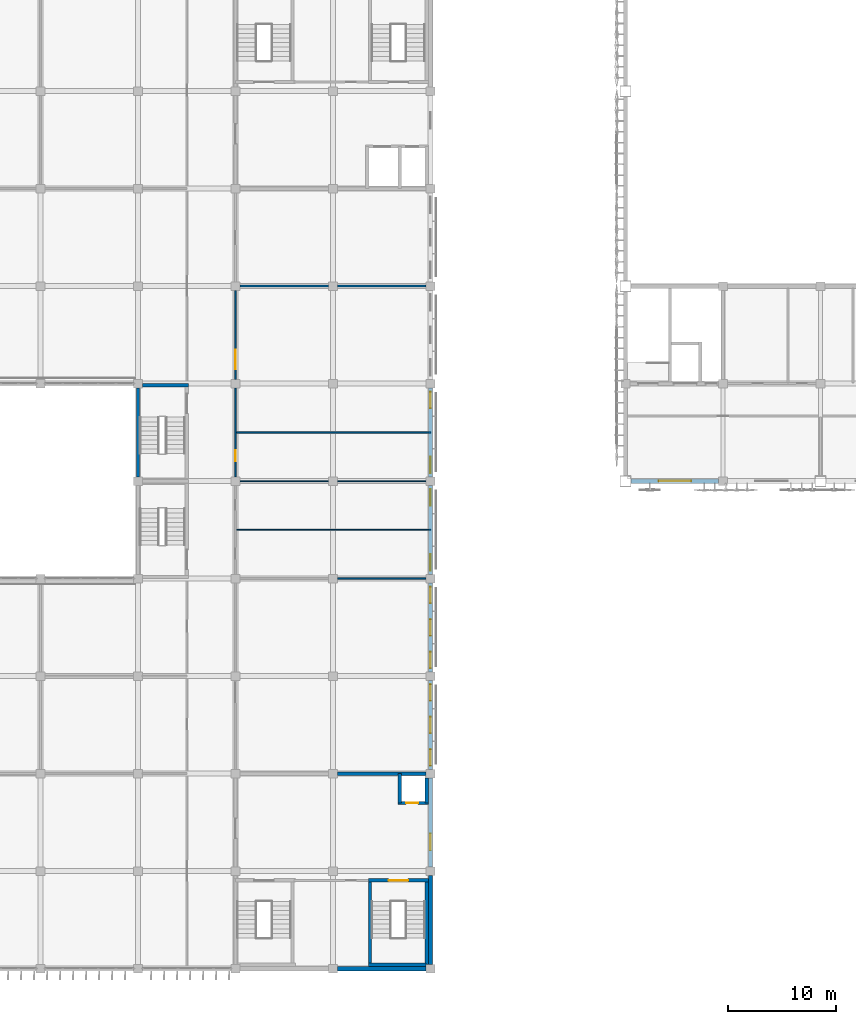
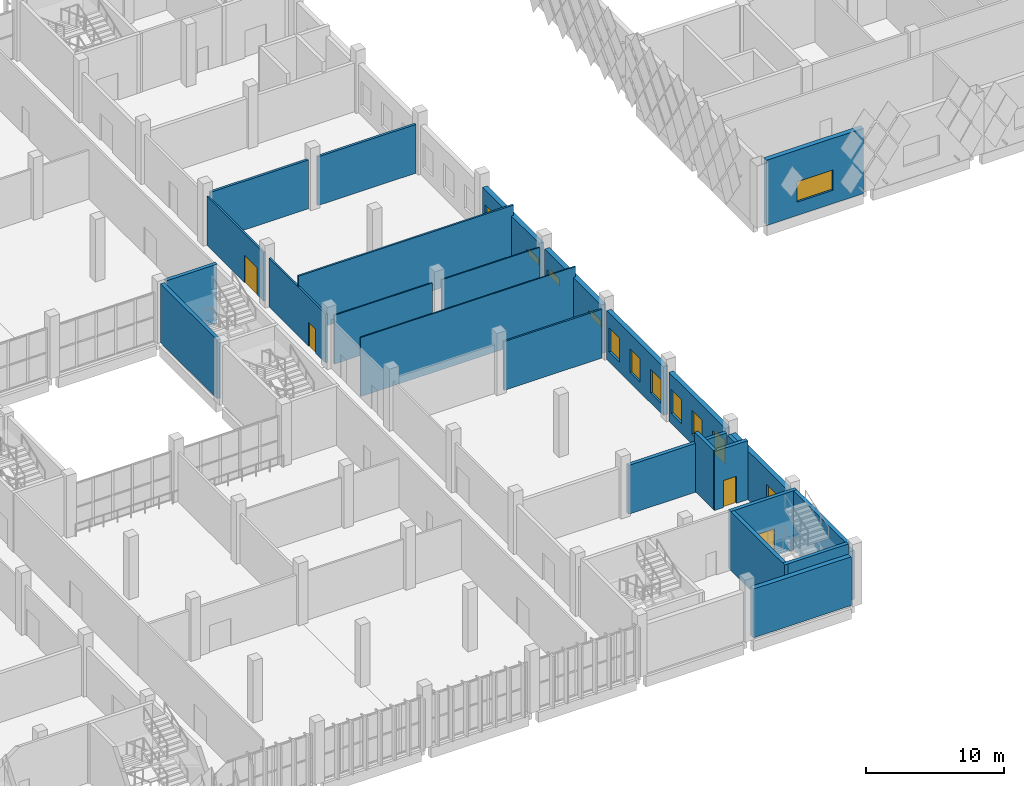
# One storey, part 107 of 185: 27 walls, 12 windows, 4 doors, 16 openings.
"""IFC4 building model written with IfcOpenShell, lengths in metres."""

from ifc_helpers import new_model, si_unit, direction, frame, frame_2d, origin, place, context, subcontext, project, spatial, rectangle, extrude, material, layer, layer_set, type_object, element, fill, save


model = new_model("IFC4")

# Units and contexts
model_context = context("Model", 3, precision=1e-05, world=origin(), true_north=direction((0.0, 1.0)))
body_context = subcontext(model_context, "Body", "Model", "MODEL_VIEW")
ifc_project = project(units=[si_unit("LENGTHUNIT", "METRE"), si_unit("AREAUNIT", "SQUARE_METRE"), si_unit("VOLUMEUNIT", "CUBIC_METRE"), si_unit("PLANEANGLEUNIT", "RADIAN"), si_unit("MASSUNIT", "GRAM", prefix="KILO")], contexts=[model_context])

# Site, building, storey
site_placement = place(None, origin())
site = spatial("IfcSite", under=ifc_project, at=site_placement, CompositionType="ELEMENT")
building_placement = place(site_placement, origin())
building = spatial("IfcBuilding", under=site, at=building_placement, Name="Opaline Strait Convention Centre", CompositionType="ELEMENT")
storey_placement = place(building_placement, frame((0.0, 0.0, 6.0)))
storey = spatial("IfcBuildingStorey", under=building, at=storey_placement, Name="L01", CompositionType="ELEMENT", Elevation=6.0)

# Wall, opening, window
ifc_material_1 = material(Name="Concrete C40", Category="concrete")
ifc_layer_1 = layer(ifc_material_1, 0.25)
ifc_material_2 = material(Name="Mineral wool insulation")
ifc_layer_2 = layer(ifc_material_2, 0.10009765625)
ifc_material_3 = material(Name="Gypsum board lining")
ifc_layer_3 = layer(ifc_material_3, 0.050048828125)
ifc_layer_set_1 = layer_set([ifc_layer_1, ifc_layer_2, ifc_layer_3], Name="Concrete C40, Mineral wool insulation, Gypsum board lining")
wall_type_1 = type_object("IfcWallType", Name="External wall RC 400 insulated", PredefinedType="SOLIDWALL", material=ifc_layer_set_1)
wall_1_placement = place(storey_placement, frame((99.5, 54.0, -0.280029296875), z_axis=(0.0, 0.0, 1.0), x_axis=(1.0, 0.0, 0.0)))
wall_1 = element("IfcWall", 1, at=wall_1_placement, inside=storey, type_object=wall_type_1, Name="External wall S1", PredefinedType="SOLIDWALL", context=body_context, shape_type="SweptSolid", body=[
    extrude(rectangle(XDim=8.10009765625, YDim=0.39990234375, at=frame_2d((4.050048828125, 0.0))), origin(), (0.0, 0.0, 1.0), 5.780029296875),
])
opening_1_placement = place(wall_1_placement, frame((2.550048828125, 0.0, 1.179931640625)))
opening_1 = element("IfcOpeningElement", 2, at=opening_1_placement, cuts=wall_1, Name="Opening XWN2", PredefinedType="OPENING", context=body_context, shape_type="SweptSolid", body=[
    extrude(rectangle(XDim=3.0, YDim=1.800048828125, at=frame_2d((1.5, 0.89990234375))), frame((0.0, 0.2099609375, 0.0), z_axis=(0.0, -1.0, 0.0), x_axis=(1.0, 0.0, 0.0)), (0.0, 0.0, 1.0), 0.419921875),
])
ifc_material_4 = material(Name="Double glazed unit low emissivity", Category="glass")
window_type_1 = type_object("IfcWindowType", Name="Strip window 3000 x 1800", PartitioningType="TRIPLE_PANEL_VERTICAL", PredefinedType="WINDOW", material=ifc_material_4)
window_1_placement = place(opening_1_placement, origin())
window_1 = element("IfcWindow", 3, at=window_1_placement, inside=storey, type_object=window_type_1, Name="Strip window 1", OverallHeight=1.800048828125, OverallWidth=3.0, PartitioningType="TRIPLE_PANEL_VERTICAL", PredefinedType="WINDOW", context=body_context, shape_type="SweptSolid", body=[
    extrude(rectangle(XDim=3.0, YDim=1.800048828125, at=frame_2d((1.5, 0.89990234375))), frame((0.0, 0.030029296875, 0.0), z_axis=(0.0, -1.0, 0.0), x_axis=(1.0, 0.0, 0.0)), (0.0, 0.0, 1.0), 0.06005859375),
])
fill(opening_1, window_1)

# Walls
ifc_material_5 = material(Name="Gypsum board on metal studs with mineral wool")
ifc_layer_4 = layer(ifc_material_5, 0.199951171875)
ifc_layer_set_2 = layer_set([ifc_layer_4], Name="Gypsum board on metal studs with mineral wool")
wall_type_2 = type_object("IfcWallType", Name="Fire partition 200", PredefinedType="PARTITIONING", material=ifc_layer_set_2)
for number, where, z_axis, x_axis, name in (
    (4, (63.39990234375, 72.0, 0.0), (0.0, 0.0, 1.0), (1.0, 0.0, 0.0), "L01 partition"),
    (5, (72.39990234375, 72.0, 0.0), (0.0, 0.0, 1.0), (1.0, 0.0, 0.0), "L01 partition"),
):
    element("IfcWall", number, at=place(storey_placement, frame(where, z_axis=z_axis, x_axis=x_axis)), inside=storey, type_object=wall_type_2, Name=name, PredefinedType="PARTITIONING", context=body_context, shape_type="SweptSolid", body=[
        extrude(rectangle(XDim=8.2001953125, YDim=0.199951171875, at=frame_2d((4.10009765625, 0.0))), origin(), (0.0, 0.0, 1.0), 4.320068359375),
    ])
ifc_layer_5 = layer(ifc_material_5, 0.10009765625)
ifc_layer_set_3 = layer_set([ifc_layer_5], Name="Gypsum board on metal studs with mineral wool")
wall_type_3 = type_object("IfcWallType", Name="Light partition 100", PredefinedType="PARTITIONING", material=ifc_layer_set_3)
wall_2_placement = place(storey_placement, frame((63.0, 49.5, 0.0), z_axis=(0.0, 0.0, 1.0), x_axis=(1.0, 0.0, 0.0)))
element("IfcWall", 6, at=wall_2_placement, inside=storey, type_object=wall_type_3, Name="L01 partition", PredefinedType="PARTITIONING", context=body_context, shape_type="SweptSolid", body=[
    extrude(rectangle(XDim=18.0, YDim=0.10009765625, at=frame_2d((9.0, 0.0))), origin(), (0.0, 0.0, 1.0), 5.219970703125),
])
for number, where, z_axis, x_axis, name in (
    (7, (63.39990234375, 54.0, 0.0), (0.0, 0.0, 1.0), (1.0, 0.0, 0.0), "L01 partition"),
    (8, (72.39990234375, 54.0, 0.0), (0.0, 0.0, 1.0), (1.0, 0.0, 0.0), "L01 partition"),
):
    element("IfcWall", number, at=place(storey_placement, frame(where, z_axis=z_axis, x_axis=x_axis)), inside=storey, type_object=wall_type_3, Name=name, PredefinedType="PARTITIONING", context=body_context, shape_type="SweptSolid", body=[
        extrude(rectangle(XDim=8.2001953125, YDim=0.10009765625, at=frame_2d((4.10009765625, 0.0))), origin(), (0.0, 0.0, 1.0), 4.320068359375),
    ])
ifc_layer_6 = layer(ifc_material_5, 0.14990234375)
ifc_layer_set_4 = layer_set([ifc_layer_6], Name="Gypsum board on metal studs with mineral wool")
wall_type_4 = type_object("IfcWallType", Name="Partition 150", PredefinedType="PARTITIONING", material=ifc_layer_set_4)
wall_3_placement = place(storey_placement, frame((72.39990234375, 45.0, 0.0), z_axis=(0.0, 0.0, 1.0), x_axis=(1.0, 0.0, 0.0)))
element("IfcWall", 9, at=wall_3_placement, inside=storey, type_object=wall_type_4, Name="L01 partition", PredefinedType="PARTITIONING", context=body_context, shape_type="SweptSolid", body=[
    extrude(rectangle(XDim=8.2001953125, YDim=0.14990234375, at=frame_2d((4.10009765625, 0.0))), origin(), (0.0, 0.0, 1.0), 4.320068359375),
])
wall_4_placement = place(storey_placement, frame((63.0, 58.5, 0.0), z_axis=(0.0, 0.0, 1.0), x_axis=(1.0, 0.0, 0.0)))
element("IfcWall", 10, at=wall_4_placement, inside=storey, type_object=wall_type_4, Name="L01 partition", PredefinedType="PARTITIONING", context=body_context, shape_type="SweptSolid", body=[
    extrude(rectangle(XDim=18.0, YDim=0.14990234375, at=frame_2d((9.0, 0.0))), origin(), (0.0, 0.0, 1.0), 5.219970703125),
])

# Wall, opening, door
wall_5_placement = place(storey_placement, frame((63.0, 54.39990234375, 0.0), z_axis=(0.0, 0.0, 1.0), x_axis=(0.0, 1.0, 0.0)))
wall_5 = element("IfcWall", 11, at=wall_5_placement, inside=storey, type_object=wall_type_4, Name="L01 partition", PredefinedType="PARTITIONING", context=body_context, shape_type="SweptSolid", body=[
    extrude(rectangle(XDim=8.2001953125, YDim=0.14990234375, at=frame_2d((4.10009765625, 0.0))), origin(), (0.0, 0.0, 1.0), 4.320068359375),
])
opening_2_placement = place(wall_5_placement, frame((1.449951171875, 0.0, 0.0)))
opening_2 = element("IfcOpeningElement", 12, at=opening_2_placement, cuts=wall_5, Name="Opening R1-046", PredefinedType="OPENING", context=body_context, shape_type="SweptSolid", body=[
    extrude(rectangle(XDim=1.0, YDim=2.10009765625, at=frame_2d((0.5, 1.050048828125))), frame((0.0, 0.0849609375, 0.0), z_axis=(0.0, -1.0, 0.0), x_axis=(1.0, 0.0, 0.0)), (0.0, 0.0, 1.0), 0.169921875),
])
ifc_material_6 = material(Name="Timber door leaf in steel frame", Category="steel")
door_type_1 = type_object("IfcDoorType", Name="Accessible toilet door 1000x2100 FD30", OperationType="SINGLE_SWING_LEFT", PredefinedType="DOOR", material=ifc_material_6)
door_1_placement = place(opening_2_placement, frame((1.0, 0.0, 0.0), z_axis=(0.0, 0.0, 1.0), x_axis=(-1.0, 0.0, 0.0)))
door_1 = element("IfcDoor", 13, at=door_1_placement, inside=storey, type_object=door_type_1, Name="Accessible WC door R1-046", ObjectType="RD13", OperationType="SINGLE_SWING_LEFT", OverallHeight=2.10009765625, OverallWidth=1.0, PredefinedType="DOOR", context=body_context, shape_type="SweptSolid", body=[
    extrude(rectangle(XDim=1.0, YDim=2.10009765625, at=frame_2d((0.5, 1.050048828125))), frame((0.0, 0.02490234375, 0.0), z_axis=(0.0, -1.0, 0.0), x_axis=(1.0, 0.0, 0.0)), (0.0, 0.0, 1.0), 0.050048828125),
])
fill(opening_2, door_1)

wall_6_placement = place(storey_placement, frame((63.0, 63.39990234375, 0.0), z_axis=(0.0, 0.0, 1.0), x_axis=(0.0, 1.0, 0.0)))
wall_6 = element("IfcWall", 14, at=wall_6_placement, inside=storey, type_object=wall_type_4, Name="L01 partition", PredefinedType="PARTITIONING", context=body_context, shape_type="SweptSolid", body=[
    extrude(rectangle(XDim=8.2001953125, YDim=0.14990234375, at=frame_2d((4.10009765625, 0.0))), origin(), (0.0, 0.0, 1.0), 4.320068359375),
])
opening_3_placement = place(wall_6_placement, frame((0.949951171875, 0.0, 0.0)))
opening_3 = element("IfcOpeningElement", 15, at=opening_3_placement, cuts=wall_6, Name="Opening R1-047", PredefinedType="OPENING", context=body_context, shape_type="SweptSolid", body=[
    extrude(rectangle(XDim=1.800048828125, YDim=2.39990234375, at=frame_2d((0.89990234375, 1.199951171875))), frame((0.0, 0.0849609375, 0.0), z_axis=(0.0, -1.0, 0.0), x_axis=(1.0, 0.0, 0.0)), (0.0, 0.0, 1.0), 0.169921875),
])
ifc_material_7 = material(Name="Timber door leaves in steel frame", Category="steel")
door_type_2 = type_object("IfcDoorType", Name="Door 1800x2400 double FD30", OperationType="DOUBLE_DOOR_SINGLE_SWING", PredefinedType="DOOR", material=ifc_material_7)
door_2_placement = place(opening_3_placement, origin())
door_2 = element("IfcDoor", 16, at=door_2_placement, inside=storey, type_object=door_type_2, Name="Tea Lounge door R1-047", ObjectType="RD2", OperationType="DOUBLE_DOOR_SINGLE_SWING", OverallHeight=2.39990234375, OverallWidth=1.800048828125, PredefinedType="DOOR", context=body_context, shape_type="SweptSolid", body=[
    extrude(rectangle(XDim=1.800048828125, YDim=2.39990234375, at=frame_2d((0.89990234375, 1.199951171875))), frame((0.0, 0.02490234375, 0.0), z_axis=(0.0, -1.0, 0.0), x_axis=(1.0, 0.0, 0.0)), (0.0, 0.0, 1.0), 0.050048828125),
])
fill(opening_3, door_2)

# Wall
ifc_layer_7 = layer(ifc_material_1, 0.300048828125)
ifc_layer_set_5 = layer_set([ifc_layer_7], Name="Concrete C40")
wall_type_5 = type_object("IfcWallType", Name="RC wall 300 C40", PredefinedType="SOLIDWALL", material=ifc_layer_set_5)
wall_7_placement = place(storey_placement, frame((80.60009765625, 9.35009765625, 0.0), z_axis=(0.0, 0.0, 1.0), x_axis=(-1.0, 0.0, 0.0)))
element("IfcWall", 17, at=wall_7_placement, inside=storey, type_object=wall_type_5, Name="SE core STA-S wall", PredefinedType="SOLIDWALL", context=body_context, shape_type="SweptSolid", body=[
    extrude(rectangle(XDim=5.35009765625, YDim=0.300048828125, at=frame_2d((2.675048828125, 0.0))), origin(), (0.0, 0.0, 1.0), 5.219970703125),
])

# Wall, opening, door
wall_8_placement = place(storey_placement, frame((80.800048828125, 17.14990234375, 0.0), z_axis=(0.0, 0.0, 1.0), x_axis=(-1.0, 0.0, 0.0)))
wall_8 = element("IfcWall", 18, at=wall_8_placement, inside=storey, type_object=wall_type_5, Name="SE core STA-N wall", PredefinedType="SOLIDWALL", context=body_context, shape_type="SweptSolid", body=[
    extrude(rectangle(XDim=5.550048828125, YDim=0.300048828125, at=frame_2d((2.77490234375, 0.0))), origin(), (0.0, 0.0, 1.0), 5.219970703125),
])
opening_4_placement = place(wall_8_placement, frame((1.875, 0.0, 0.0)))
opening_4 = element("IfcOpeningElement", 19, at=opening_4_placement, cuts=wall_8, Name="Opening R1-007", PredefinedType="OPENING", context=body_context, shape_type="SweptSolid", body=[
    extrude(rectangle(XDim=1.800048828125, YDim=2.39990234375, at=frame_2d((0.89990234375, 1.199951171875))), frame((0.0, 0.159912109375, 0.0), z_axis=(0.0, -1.0, 0.0), x_axis=(1.0, 0.0, 0.0)), (0.0, 0.0, 1.0), 0.320068359375),
])
door_type_3 = type_object("IfcDoorType", Name="Stair door 1800x2400 double FD60", OperationType="DOUBLE_DOOR_SINGLE_SWING", PredefinedType="DOOR", material=ifc_material_7)
door_3_placement = place(opening_4_placement, frame((1.800048828125, 0.0, 0.0), z_axis=(0.0, 0.0, 1.0), x_axis=(-1.0, 0.0, 0.0)))
door_3 = element("IfcDoor", 20, at=door_3_placement, inside=storey, type_object=door_type_3, Name="Stair door SEA R1-007", ObjectType="RD7", OperationType="DOUBLE_DOOR_SINGLE_SWING", OverallHeight=2.39990234375, OverallWidth=1.800048828125, PredefinedType="DOOR", context=body_context, shape_type="SweptSolid", body=[
    extrude(rectangle(XDim=1.800048828125, YDim=2.39990234375, at=frame_2d((0.89990234375, 1.199951171875))), frame((0.0, 0.02490234375, 0.0), z_axis=(0.0, -1.0, 0.0), x_axis=(1.0, 0.0, 0.0)), (0.0, 0.0, 1.0), 0.050048828125),
])
fill(opening_4, door_3)

# Walls
wall_9_placement = place(storey_placement, frame((80.64990234375, 9.39990234375, 0.0), z_axis=(0.0, 0.0, 1.0), x_axis=(0.0, 1.0, 0.0)))
element("IfcWall", 21, at=wall_9_placement, inside=storey, type_object=wall_type_5, Name="SE core STA-W wall", PredefinedType="SOLIDWALL", context=body_context, shape_type="SweptSolid", body=[
    extrude(rectangle(XDim=7.900146484375, YDim=0.300048828125, at=frame_2d((3.9501953125, 0.0))), origin(), (0.0, 0.0, 1.0), 5.219970703125),
])
wall_10_placement = place(storey_placement, frame((75.39990234375, 9.199951171875, 0.0), z_axis=(0.0, 0.0, 1.0), x_axis=(0.0, 1.0, 0.0)))
element("IfcWall", 22, at=wall_10_placement, inside=storey, type_object=wall_type_5, Name="SE core STA-E wall", PredefinedType="SOLIDWALL", context=body_context, shape_type="SweptSolid", body=[
    extrude(rectangle(XDim=8.10009765625, YDim=0.300048828125, at=frame_2d((4.050048828125, 0.0))), origin(), (0.0, 0.0, 1.0), 5.219970703125),
])
wall_11_placement = place(storey_placement, frame((80.60009765625, 27.0, 0.0), z_axis=(0.0, 0.0, 1.0), x_axis=(-1.0, 0.0, 0.0)))
element("IfcWall", 23, at=wall_11_placement, inside=storey, type_object=wall_type_5, Name="SE core BND-N wall", PredefinedType="SOLIDWALL", context=body_context, shape_type="SweptSolid", body=[
    extrude(rectangle(XDim=8.2001953125, YDim=0.300048828125, at=frame_2d((4.10009765625, 0.0))), origin(), (0.0, 0.0, 1.0), 4.320068359375),
])

# Wall, opening, door
wall_12_placement = place(storey_placement, frame((80.800048828125, 24.300048828125, 0.0), z_axis=(0.0, 0.0, 1.0), x_axis=(-1.0, 0.0, 0.0)))
wall_12 = element("IfcWall", 24, at=wall_12_placement, inside=storey, type_object=wall_type_5, Name="SE core LIFT-S wall", PredefinedType="SOLIDWALL", context=body_context, shape_type="SweptSolid", body=[
    extrude(rectangle(XDim=2.800048828125, YDim=0.300048828125, at=frame_2d((1.39990234375, 0.0))), origin(), (0.0, 0.0, 1.0), 5.219970703125),
])
opening_5_placement = place(wall_12_placement, frame((0.949951171875, 0.0, 0.0)))
opening_5 = element("IfcOpeningElement", 25, at=opening_5_placement, cuts=wall_12, Name="Opening R1-011", PredefinedType="OPENING", context=body_context, shape_type="SweptSolid", body=[
    extrude(rectangle(XDim=1.10009765625, YDim=2.39990234375, at=frame_2d((0.550048828125, 1.199951171875))), frame((0.0, 0.159912109375, 0.0), z_axis=(0.0, -1.0, 0.0), x_axis=(1.0, 0.0, 0.0)), (0.0, 0.0, 1.0), 0.320068359375),
])
ifc_material_8 = material(Name="Stainless steel 304 door leaves", Category="steel")
door_type_4 = type_object("IfcDoorType", Name="Lift landing door 1100x2400 sliding FD60", OperationType="SLIDING_TO_LEFT", PredefinedType="DOOR", material=ifc_material_8)
door_4_placement = place(opening_5_placement, origin())
door_4 = element("IfcDoor", 26, at=door_4_placement, inside=storey, type_object=door_type_4, Name="Lift landing door SEP R1-011", ObjectType="LD1", OperationType="SLIDING_TO_LEFT", OverallHeight=2.39990234375, OverallWidth=1.10009765625, PredefinedType="DOOR", context=body_context, shape_type="SweptSolid", body=[
    extrude(rectangle(XDim=1.10009765625, YDim=2.39990234375, at=frame_2d((0.550048828125, 1.199951171875))), frame((0.0, 0.02490234375, 0.0), z_axis=(0.0, -1.0, 0.0), x_axis=(1.0, 0.0, 0.0)), (0.0, 0.0, 1.0), 0.050048828125),
])
fill(opening_5, door_4)

# Walls
wall_13_placement = place(storey_placement, frame((78.14990234375, 24.300048828125, 0.0), z_axis=(0.0, 0.0, 1.0), x_axis=(0.0, 1.0, 0.0)))
element("IfcWall", 27, at=wall_13_placement, inside=storey, type_object=wall_type_5, Name="SE core LIFT-M wall", PredefinedType="SOLIDWALL", context=body_context, shape_type="SweptSolid", body=[
    extrude(rectangle(XDim=2.699951171875, YDim=0.300048828125, at=frame_2d((1.35009765625, 0.0))), origin(), (0.0, 0.0, 1.0), 5.219970703125),
])
wall_14_placement = place(storey_placement, frame((80.64990234375, 24.300048828125, 0.0), z_axis=(0.0, 0.0, 1.0), x_axis=(0.0, 1.0, 0.0)))
element("IfcWall", 28, at=wall_14_placement, inside=storey, type_object=wall_type_5, Name="SE core LIFT-W wall", PredefinedType="SOLIDWALL", context=body_context, shape_type="SweptSolid", body=[
    extrude(rectangle(XDim=2.300048828125, YDim=0.300048828125, at=frame_2d((1.14990234375, 0.0))), origin(), (0.0, 0.0, 1.0), 4.320068359375),
])
wall_15_placement = place(storey_placement, frame((54.0, 54.39990234375, 0.0), z_axis=(0.0, 0.0, 1.0), x_axis=(0.0, 1.0, 0.0)))
element("IfcWall", 29, at=wall_15_placement, inside=storey, type_object=wall_type_5, Name="ME core COURT wall", PredefinedType="SOLIDWALL", context=body_context, shape_type="SweptSolid", body=[
    extrude(rectangle(XDim=8.2001953125, YDim=0.300048828125, at=frame_2d((4.10009765625, 0.0))), origin(), (0.0, 0.0, 1.0), 5.219970703125),
])
wall_16_placement = place(storey_placement, frame((54.39990234375, 62.85009765625, 0.0), z_axis=(0.0, 0.0, 1.0), x_axis=(1.0, 0.0, 0.0)))
element("IfcWall", 30, at=wall_16_placement, inside=storey, type_object=wall_type_5, Name="ME core N wall", PredefinedType="SOLIDWALL", context=body_context, shape_type="SweptSolid", body=[
    extrude(rectangle(XDim=4.25, YDim=0.300048828125, at=frame_2d((2.125, 0.0))), origin(), (0.0, 0.0, 1.0), 5.219970703125),
])
ifc_layer_8 = layer(ifc_material_1, 0.320068359375)
ifc_layer_9 = layer(ifc_material_2, 0.050048828125)
ifc_layer_10 = layer(ifc_material_3, 0.030029296875)
ifc_layer_set_6 = layer_set([ifc_layer_8, ifc_layer_9, ifc_layer_10], Name="Concrete C40, Mineral wool insulation, Gypsum board lining")
wall_type_6 = type_object("IfcWallType", Name="RC wall 400 C40", PredefinedType="SOLIDWALL", material=ifc_layer_set_6)
for number, where, z_axis, x_axis, name in (
    (31, (72.39990234375, 9.0, 0.0), (0.0, 0.0, 1.0), (1.0, 0.0, 0.0), "L01 S external wall 8"),
    (32, (81.0, 9.39990234375, 0.0), (0.0, 0.0, 1.0), (0.0, 1.0, 0.0), "L01 E external wall 1"),
):
    element("IfcWall", number, at=place(storey_placement, frame(where, z_axis=z_axis, x_axis=x_axis)), inside=storey, type_object=wall_type_6, Name=name, PredefinedType="SOLIDWALL", context=body_context, shape_type="SweptSolid", body=[
        extrude(rectangle(XDim=8.2001953125, YDim=0.39990234375, at=frame_2d((4.10009765625, 0.0))), origin(), (0.0, 0.0, 1.0), 4.320068359375),
    ])

# Wall, opening, window
wall_17_placement = place(storey_placement, frame((81.0, 18.39990234375, 0.0), z_axis=(0.0, 0.0, 1.0), x_axis=(0.0, 1.0, 0.0)))
wall_17 = element("IfcWall", 33, at=wall_17_placement, inside=storey, type_object=wall_type_6, Name="L01 E external wall 2", PredefinedType="SOLIDWALL", context=body_context, shape_type="SweptSolid", body=[
    extrude(rectangle(XDim=8.2001953125, YDim=0.39990234375, at=frame_2d((4.10009765625, 0.0))), origin(), (0.0, 0.0, 1.0), 4.320068359375),
])
opening_6_placement = place(wall_17_placement, frame((1.550048828125, 0.0, 1.199951171875)))
opening_6 = element("IfcOpeningElement", 34, at=opening_6_placement, cuts=wall_17, Name="Opening RWN4", PredefinedType="OPENING", context=body_context, shape_type="SweptSolid", body=[
    extrude(rectangle(XDim=1.5, YDim=1.800048828125, at=frame_2d((0.75, 0.89990234375))), frame((0.0, 0.2099609375, 0.0), z_axis=(0.0, -1.0, 0.0), x_axis=(1.0, 0.0, 0.0)), (0.0, 0.0, 1.0), 0.419921875),
])
ifc_material_9 = material(Name="Aluminium framed double glazing", Category="aluminium")
window_type_2 = type_object("IfcWindowType", Name="Window 1500x1800 sill 1200", PartitioningType="SINGLE_PANEL", PredefinedType="WINDOW", material=ifc_material_9)
window_2_placement = place(opening_6_placement, origin())
window_2 = element("IfcWindow", 35, at=window_2_placement, inside=storey, type_object=window_type_2, Name="Window L01-E2-W1", OverallHeight=1.800048828125, OverallWidth=1.5, PartitioningType="SINGLE_PANEL", PredefinedType="WINDOW", context=body_context, shape_type="SweptSolid", body=[
    extrude(rectangle(XDim=1.5, YDim=1.800048828125, at=frame_2d((0.75, 0.89990234375))), frame((0.0, 0.030029296875, 0.0), z_axis=(0.0, -1.0, 0.0), x_axis=(1.0, 0.0, 0.0)), (0.0, 0.0, 1.0), 0.06005859375),
])
fill(opening_6, window_2)

# Wall, openings, windows
wall_18_placement = place(storey_placement, frame((81.0, 27.39990234375, 0.0), z_axis=(0.0, 0.0, 1.0), x_axis=(0.0, 1.0, 0.0)))
wall_18 = element("IfcWall", 36, at=wall_18_placement, inside=storey, type_object=wall_type_6, Name="L01 E external wall 3", PredefinedType="SOLIDWALL", context=body_context, shape_type="SweptSolid", body=[
    extrude(rectangle(XDim=8.2001953125, YDim=0.39990234375, at=frame_2d((4.10009765625, 0.0))), origin(), (0.0, 0.0, 1.0), 4.320068359375),
])
opening_7_placement = place(wall_18_placement, frame((0.35009765625, 0.0, 0.89990234375)))
opening_7 = element("IfcOpeningElement", 37, at=opening_7_placement, cuts=wall_18, Name="Opening RWN1", PredefinedType="OPENING", context=body_context, shape_type="SweptSolid", body=[
    extrude(rectangle(XDim=1.5, YDim=2.10009765625, at=frame_2d((0.75, 1.050048828125))), frame((0.0, 0.2099609375, 0.0), z_axis=(0.0, -1.0, 0.0), x_axis=(1.0, 0.0, 0.0)), (0.0, 0.0, 1.0), 0.419921875),
])
opening_8_placement = place(wall_18_placement, frame((3.35009765625, 0.0, 0.89990234375)))
opening_8 = element("IfcOpeningElement", 38, at=opening_8_placement, cuts=wall_18, Name="Opening RWN1", PredefinedType="OPENING", context=body_context, shape_type="SweptSolid", body=[
    extrude(rectangle(XDim=1.5, YDim=2.10009765625, at=frame_2d((0.75, 1.050048828125))), frame((0.0, 0.2099609375, 0.0), z_axis=(0.0, -1.0, 0.0), x_axis=(1.0, 0.0, 0.0)), (0.0, 0.0, 1.0), 0.419921875),
])
opening_9_placement = place(wall_18_placement, frame((6.35009765625, 0.0, 0.89990234375)))
opening_9 = element("IfcOpeningElement", 39, at=opening_9_placement, cuts=wall_18, Name="Opening RWN1", PredefinedType="OPENING", context=body_context, shape_type="SweptSolid", body=[
    extrude(rectangle(XDim=1.5, YDim=2.10009765625, at=frame_2d((0.75, 1.050048828125))), frame((0.0, 0.2099609375, 0.0), z_axis=(0.0, -1.0, 0.0), x_axis=(1.0, 0.0, 0.0)), (0.0, 0.0, 1.0), 0.419921875),
])
window_type_3 = type_object("IfcWindowType", Name="Window 1500x2100 sill 900", PartitioningType="SINGLE_PANEL", PredefinedType="WINDOW", material=ifc_material_9)
window_3_placement = place(opening_7_placement, origin())
window_3 = element("IfcWindow", 40, at=window_3_placement, inside=storey, type_object=window_type_3, Name="Window L01-E3-W1", OverallHeight=2.10009765625, OverallWidth=1.5, PartitioningType="SINGLE_PANEL", PredefinedType="WINDOW", context=body_context, shape_type="SweptSolid", body=[
    extrude(rectangle(XDim=1.5, YDim=2.10009765625, at=frame_2d((0.75, 1.050048828125))), frame((0.0, 0.030029296875, 0.0), z_axis=(0.0, -1.0, 0.0), x_axis=(1.0, 0.0, 0.0)), (0.0, 0.0, 1.0), 0.06005859375),
])
fill(opening_7, window_3)
window_4_placement = place(opening_8_placement, origin())
window_4 = element("IfcWindow", 41, at=window_4_placement, inside=storey, type_object=window_type_3, Name="Window L01-E3-W2", OverallHeight=2.10009765625, OverallWidth=1.5, PartitioningType="SINGLE_PANEL", PredefinedType="WINDOW", context=body_context, shape_type="SweptSolid", body=[
    extrude(rectangle(XDim=1.5, YDim=2.10009765625, at=frame_2d((0.75, 1.050048828125))), frame((0.0, 0.030029296875, 0.0), z_axis=(0.0, -1.0, 0.0), x_axis=(1.0, 0.0, 0.0)), (0.0, 0.0, 1.0), 0.06005859375),
])
fill(opening_8, window_4)
window_5_placement = place(opening_9_placement, origin())
window_5 = element("IfcWindow", 42, at=window_5_placement, inside=storey, type_object=window_type_3, Name="Window L01-E3-W3", OverallHeight=2.10009765625, OverallWidth=1.5, PartitioningType="SINGLE_PANEL", PredefinedType="WINDOW", context=body_context, shape_type="SweptSolid", body=[
    extrude(rectangle(XDim=1.5, YDim=2.10009765625, at=frame_2d((0.75, 1.050048828125))), frame((0.0, 0.030029296875, 0.0), z_axis=(0.0, -1.0, 0.0), x_axis=(1.0, 0.0, 0.0)), (0.0, 0.0, 1.0), 0.06005859375),
])
fill(opening_9, window_5)

wall_19_placement = place(storey_placement, frame((81.0, 36.39990234375, 0.0), z_axis=(0.0, 0.0, 1.0), x_axis=(0.0, 1.0, 0.0)))
wall_19 = element("IfcWall", 43, at=wall_19_placement, inside=storey, type_object=wall_type_6, Name="L01 E external wall 4", PredefinedType="SOLIDWALL", context=body_context, shape_type="SweptSolid", body=[
    extrude(rectangle(XDim=8.2001953125, YDim=0.39990234375, at=frame_2d((4.10009765625, 0.0))), origin(), (0.0, 0.0, 1.0), 4.320068359375),
])
opening_10_placement = place(wall_19_placement, frame((0.35009765625, 0.0, 0.89990234375)))
opening_10 = element("IfcOpeningElement", 44, at=opening_10_placement, cuts=wall_19, Name="Opening RWN1", PredefinedType="OPENING", context=body_context, shape_type="SweptSolid", body=[
    extrude(rectangle(XDim=1.5, YDim=2.10009765625, at=frame_2d((0.75, 1.050048828125))), frame((0.0, 0.2099609375, 0.0), z_axis=(0.0, -1.0, 0.0), x_axis=(1.0, 0.0, 0.0)), (0.0, 0.0, 1.0), 0.419921875),
])
opening_11_placement = place(wall_19_placement, frame((3.35009765625, 0.0, 0.89990234375)))
opening_11 = element("IfcOpeningElement", 45, at=opening_11_placement, cuts=wall_19, Name="Opening RWN1", PredefinedType="OPENING", context=body_context, shape_type="SweptSolid", body=[
    extrude(rectangle(XDim=1.5, YDim=2.10009765625, at=frame_2d((0.75, 1.050048828125))), frame((0.0, 0.2099609375, 0.0), z_axis=(0.0, -1.0, 0.0), x_axis=(1.0, 0.0, 0.0)), (0.0, 0.0, 1.0), 0.419921875),
])
opening_12_placement = place(wall_19_placement, frame((6.35009765625, 0.0, 0.89990234375)))
opening_12 = element("IfcOpeningElement", 46, at=opening_12_placement, cuts=wall_19, Name="Opening RWN1", PredefinedType="OPENING", context=body_context, shape_type="SweptSolid", body=[
    extrude(rectangle(XDim=1.5, YDim=2.10009765625, at=frame_2d((0.75, 1.050048828125))), frame((0.0, 0.2099609375, 0.0), z_axis=(0.0, -1.0, 0.0), x_axis=(1.0, 0.0, 0.0)), (0.0, 0.0, 1.0), 0.419921875),
])
window_6_placement = place(opening_10_placement, origin())
window_6 = element("IfcWindow", 47, at=window_6_placement, inside=storey, type_object=window_type_3, Name="Window L01-E4-W1", OverallHeight=2.10009765625, OverallWidth=1.5, PartitioningType="SINGLE_PANEL", PredefinedType="WINDOW", context=body_context, shape_type="SweptSolid", body=[
    extrude(rectangle(XDim=1.5, YDim=2.10009765625, at=frame_2d((0.75, 1.050048828125))), frame((0.0, 0.030029296875, 0.0), z_axis=(0.0, -1.0, 0.0), x_axis=(1.0, 0.0, 0.0)), (0.0, 0.0, 1.0), 0.06005859375),
])
fill(opening_10, window_6)
window_7_placement = place(opening_11_placement, origin())
window_7 = element("IfcWindow", 48, at=window_7_placement, inside=storey, type_object=window_type_3, Name="Window L01-E4-W2", OverallHeight=2.10009765625, OverallWidth=1.5, PartitioningType="SINGLE_PANEL", PredefinedType="WINDOW", context=body_context, shape_type="SweptSolid", body=[
    extrude(rectangle(XDim=1.5, YDim=2.10009765625, at=frame_2d((0.75, 1.050048828125))), frame((0.0, 0.030029296875, 0.0), z_axis=(0.0, -1.0, 0.0), x_axis=(1.0, 0.0, 0.0)), (0.0, 0.0, 1.0), 0.06005859375),
])
fill(opening_11, window_7)
window_8_placement = place(opening_12_placement, origin())
window_8 = element("IfcWindow", 49, at=window_8_placement, inside=storey, type_object=window_type_3, Name="Window L01-E4-W3", OverallHeight=2.10009765625, OverallWidth=1.5, PartitioningType="SINGLE_PANEL", PredefinedType="WINDOW", context=body_context, shape_type="SweptSolid", body=[
    extrude(rectangle(XDim=1.5, YDim=2.10009765625, at=frame_2d((0.75, 1.050048828125))), frame((0.0, 0.030029296875, 0.0), z_axis=(0.0, -1.0, 0.0), x_axis=(1.0, 0.0, 0.0)), (0.0, 0.0, 1.0), 0.06005859375),
])
fill(opening_12, window_8)

wall_20_placement = place(storey_placement, frame((81.0, 45.39990234375, 0.0), z_axis=(0.0, 0.0, 1.0), x_axis=(0.0, 1.0, 0.0)))
wall_20 = element("IfcWall", 50, at=wall_20_placement, inside=storey, type_object=wall_type_6, Name="L01 E external wall 5", PredefinedType="SOLIDWALL", context=body_context, shape_type="SweptSolid", body=[
    extrude(rectangle(XDim=8.2001953125, YDim=0.39990234375, at=frame_2d((4.10009765625, 0.0))), origin(), (0.0, 0.0, 1.0), 4.320068359375),
])
opening_13_placement = place(wall_20_placement, frame((0.35009765625, 0.0, 2.10009765625)))
opening_13 = element("IfcOpeningElement", 51, at=opening_13_placement, cuts=wall_20, Name="Opening RWN5", PredefinedType="OPENING", context=body_context, shape_type="SweptSolid", body=[
    extrude(rectangle(XDim=1.5, YDim=0.60009765625, at=frame_2d((0.75, 0.300048828125))), frame((0.0, 0.2099609375, 0.0), z_axis=(0.0, -1.0, 0.0), x_axis=(1.0, 0.0, 0.0)), (0.0, 0.0, 1.0), 0.419921875),
])
opening_14_placement = place(wall_20_placement, frame((6.35009765625, 0.0, 2.10009765625)))
opening_14 = element("IfcOpeningElement", 52, at=opening_14_placement, cuts=wall_20, Name="Opening RWN5", PredefinedType="OPENING", context=body_context, shape_type="SweptSolid", body=[
    extrude(rectangle(XDim=1.5, YDim=0.60009765625, at=frame_2d((0.75, 0.300048828125))), frame((0.0, 0.2099609375, 0.0), z_axis=(0.0, -1.0, 0.0), x_axis=(1.0, 0.0, 0.0)), (0.0, 0.0, 1.0), 0.419921875),
])
window_type_4 = type_object("IfcWindowType", Name="Window 1500x600 sill 2100", PartitioningType="SINGLE_PANEL", PredefinedType="WINDOW", material=ifc_material_9)
window_9_placement = place(opening_13_placement, origin())
window_9 = element("IfcWindow", 53, at=window_9_placement, inside=storey, type_object=window_type_4, Name="Window L01-E5-W1", OverallHeight=0.60009765625, OverallWidth=1.5, PartitioningType="SINGLE_PANEL", PredefinedType="WINDOW", context=body_context, shape_type="SweptSolid", body=[
    extrude(rectangle(XDim=1.5, YDim=0.60009765625, at=frame_2d((0.75, 0.300048828125))), frame((0.0, 0.030029296875, 0.0), z_axis=(0.0, -1.0, 0.0), x_axis=(1.0, 0.0, 0.0)), (0.0, 0.0, 1.0), 0.06005859375),
])
fill(opening_13, window_9)
window_10_placement = place(opening_14_placement, origin())
window_10 = element("IfcWindow", 54, at=window_10_placement, inside=storey, type_object=window_type_4, Name="Window L01-E5-W3", OverallHeight=0.60009765625, OverallWidth=1.5, PartitioningType="SINGLE_PANEL", PredefinedType="WINDOW", context=body_context, shape_type="SweptSolid", body=[
    extrude(rectangle(XDim=1.5, YDim=0.60009765625, at=frame_2d((0.75, 0.300048828125))), frame((0.0, 0.030029296875, 0.0), z_axis=(0.0, -1.0, 0.0), x_axis=(1.0, 0.0, 0.0)), (0.0, 0.0, 1.0), 0.06005859375),
])
fill(opening_14, window_10)

wall_21_placement = place(storey_placement, frame((81.0, 54.39990234375, 0.0), z_axis=(0.0, 0.0, 1.0), x_axis=(0.0, 1.0, 0.0)))
wall_21 = element("IfcWall", 55, at=wall_21_placement, inside=storey, type_object=wall_type_6, Name="L01 E external wall 6", PredefinedType="SOLIDWALL", context=body_context, shape_type="SweptSolid", body=[
    extrude(rectangle(XDim=8.2001953125, YDim=0.39990234375, at=frame_2d((4.10009765625, 0.0))), origin(), (0.0, 0.0, 1.0), 4.320068359375),
])
opening_15_placement = place(wall_21_placement, frame((0.35009765625, 0.0, 2.10009765625)))
opening_15 = element("IfcOpeningElement", 56, at=opening_15_placement, cuts=wall_21, Name="Opening RWN5", PredefinedType="OPENING", context=body_context, shape_type="SweptSolid", body=[
    extrude(rectangle(XDim=1.5, YDim=0.60009765625, at=frame_2d((0.75, 0.300048828125))), frame((0.0, 0.2099609375, 0.0), z_axis=(0.0, -1.0, 0.0), x_axis=(1.0, 0.0, 0.0)), (0.0, 0.0, 1.0), 0.419921875),
])
opening_16_placement = place(wall_21_placement, frame((6.35009765625, 0.0, 0.89990234375)))
opening_16 = element("IfcOpeningElement", 57, at=opening_16_placement, cuts=wall_21, Name="Opening RWN1", PredefinedType="OPENING", context=body_context, shape_type="SweptSolid", body=[
    extrude(rectangle(XDim=1.5, YDim=2.10009765625, at=frame_2d((0.75, 1.050048828125))), frame((0.0, 0.2099609375, 0.0), z_axis=(0.0, -1.0, 0.0), x_axis=(1.0, 0.0, 0.0)), (0.0, 0.0, 1.0), 0.419921875),
])
window_11_placement = place(opening_16_placement, origin())
window_11 = element("IfcWindow", 58, at=window_11_placement, inside=storey, type_object=window_type_3, Name="Window L01-E6-W3", OverallHeight=2.10009765625, OverallWidth=1.5, PartitioningType="SINGLE_PANEL", PredefinedType="WINDOW", context=body_context, shape_type="SweptSolid", body=[
    extrude(rectangle(XDim=1.5, YDim=2.10009765625, at=frame_2d((0.75, 1.050048828125))), frame((0.0, 0.030029296875, 0.0), z_axis=(0.0, -1.0, 0.0), x_axis=(1.0, 0.0, 0.0)), (0.0, 0.0, 1.0), 0.06005859375),
])
fill(opening_16, window_11)
window_12_placement = place(opening_15_placement, origin())
window_12 = element("IfcWindow", 59, at=window_12_placement, inside=storey, type_object=window_type_4, Name="Window L01-E6-W1", OverallHeight=0.60009765625, OverallWidth=1.5, PartitioningType="SINGLE_PANEL", PredefinedType="WINDOW", context=body_context, shape_type="SweptSolid", body=[
    extrude(rectangle(XDim=1.5, YDim=0.60009765625, at=frame_2d((0.75, 0.300048828125))), frame((0.0, 0.030029296875, 0.0), z_axis=(0.0, -1.0, 0.0), x_axis=(1.0, 0.0, 0.0)), (0.0, 0.0, 1.0), 0.06005859375),
])
fill(opening_15, window_12)

save(model, "model.ifc")
